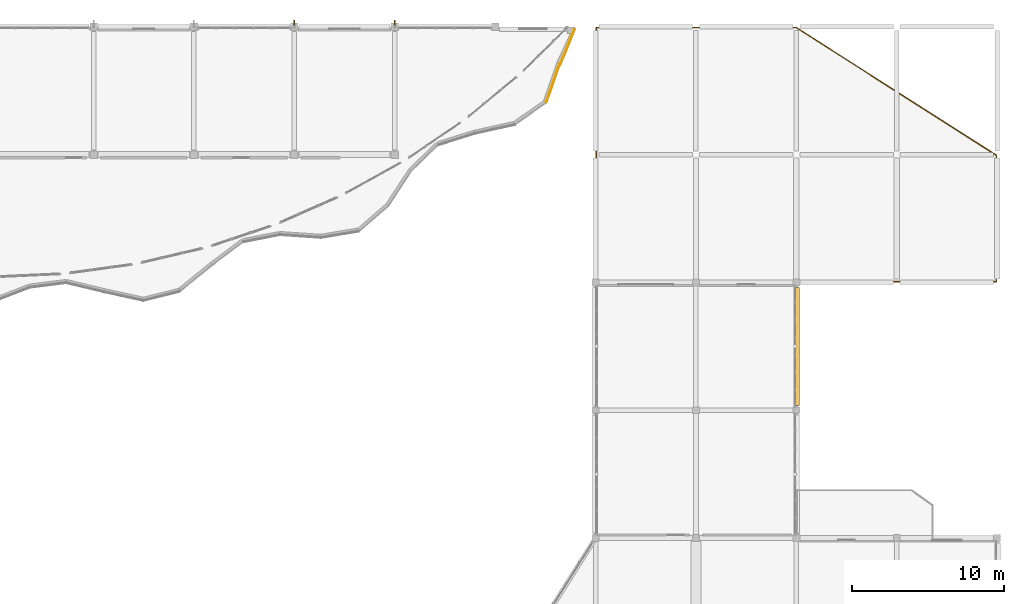
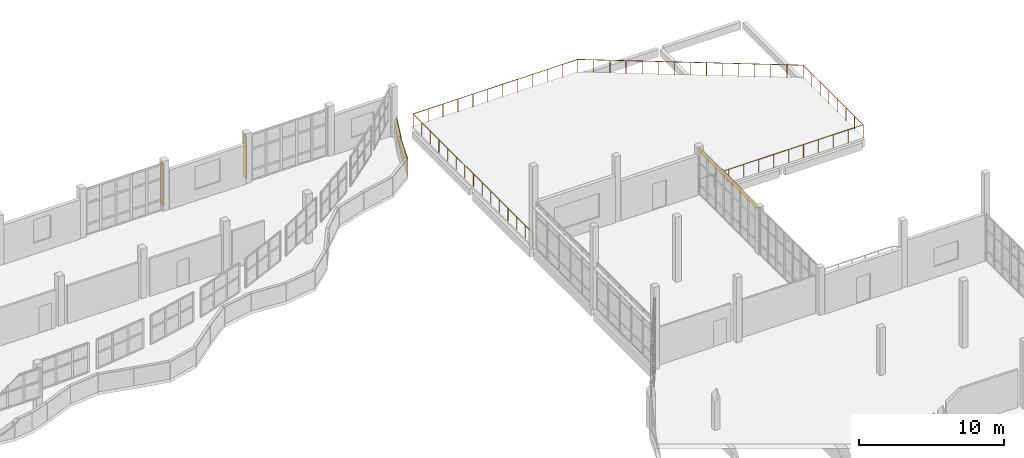
# One storey, part 78 of 78: 3 shading devices, 2 coverings, 1 railing.
"""IFC4 building model written with IfcOpenShell, lengths in metres."""

from ifc_helpers import new_model, si_unit, direction, frame, origin, origin_2d, place, context, subcontext, project, spatial, rectangle, circle, extrude, material, layer, layer_set, type_object, element, save


model = new_model("IFC4")

# Units and contexts
model_context = context("Model", 3, precision=1e-05, world=origin(), true_north=direction((0.0, 1.0)))
body_context = subcontext(model_context, "Body", "Model", "MODEL_VIEW")
ifc_project = project(units=[si_unit("LENGTHUNIT", "METRE"), si_unit("AREAUNIT", "SQUARE_METRE"), si_unit("VOLUMEUNIT", "CUBIC_METRE"), si_unit("PLANEANGLEUNIT", "RADIAN"), si_unit("MASSUNIT", "GRAM", prefix="KILO")], contexts=[model_context])

# Site, building, storey
site_placement = place(None, origin())
site = spatial("IfcSite", under=ifc_project, at=site_placement, CompositionType="ELEMENT")
building_placement = place(site_placement, origin())
building = spatial("IfcBuilding", under=site, at=building_placement, Name="Qaldarim Faculty of Natural and Applied Sciences", CompositionType="ELEMENT")
storey_placement = place(building_placement, frame((0.0, 0.0, 18.60009765625)))
storey = spatial("IfcBuildingStorey", under=building, at=storey_placement, Name="L04", CompositionType="ELEMENT", Elevation=18.60009765625)

# Railing
ifc_material_1 = material(Name="Architectural stainless steel 316", Category="steel")
railing_type = type_object("IfcRailingType", Name="ExteriorGuardBalustrade-1100", PredefinedType="BALUSTRADE", material=ifc_material_1)
railing_placement = place(storey_placement, frame((165.050048828125, 100.85009765625, 0.0)))
element("IfcRailing", 1, at=railing_placement, inside=storey, type_object=railing_type, Name="Safety guard balustrade GRD-TER-L04-V3G", PredefinedType="BALUSTRADE", context=body_context, shape_type="SweptSolid", body=[
    extrude(circle(Radius=0.02392578125, at=origin_2d()), frame((0.00390625, 0.0, 1.076171875), z_axis=(1.0, 0.0, 0.0), x_axis=(0.0, 1.0, 0.0)), (0.0, 0.0, 1.0), 13.091796875),
    extrude(circle(Radius=0.02392578125, at=origin_2d()), frame((13.099853515625, 0.00390625, 1.076171875), z_axis=(0.0, 1.0, 0.0), x_axis=(-1.0, 0.0, 0.0)), (0.0, 0.0, 1.0), 8.291748046875),
    extrude(circle(Radius=0.02392578125, at=origin_2d()), frame((13.096435546875, 8.302001953125, 1.076171875), z_axis=(-0.842730568083, 0.538335573429, 0.0), x_axis=(-0.538335573429, -0.842730568083, 0.0)), (0.0, 0.0, 1.0), 15.595947265625),
    extrude(circle(Radius=0.02392578125, at=origin_2d()), frame((-0.053955078125, 16.699951171875, 1.076171875), z_axis=(-1.0, 0.0, 0.0), x_axis=(0.0, -1.0, 0.0)), (0.0, 0.0, 1.0), 13.141845703125),
    extrude(circle(Radius=0.02392578125, at=origin_2d()), frame((-13.199951171875, 16.696044921875, 1.076171875), z_axis=(0.0, -1.0, 0.0), x_axis=(1.0, 0.0, 0.0)), (0.0, 0.0, 1.0), 16.69189453125),
    extrude(circle(Radius=0.02099609375, at=origin_2d()), origin(), (0.0, 0.0, 1.0), 1.052001953125),
    extrude(circle(Radius=0.02099609375, at=origin_2d()), frame((1.19091796875, 0.0, 0.0)), (0.0, 0.0, 1.0), 1.052001953125),
    extrude(circle(Radius=0.02099609375, at=origin_2d()), frame((2.3818359375, 0.0, 0.0)), (0.0, 0.0, 1.0), 1.052001953125),
    extrude(circle(Radius=0.02099609375, at=origin_2d()), frame((3.57275390625, 0.0, 0.0)), (0.0, 0.0, 1.0), 1.052001953125),
    extrude(circle(Radius=0.02099609375, at=origin_2d()), frame((4.763671875, 0.0, 0.0)), (0.0, 0.0, 1.0), 1.052001953125),
    extrude(circle(Radius=0.02099609375, at=origin_2d()), frame((5.95458984375, 0.0, 0.0)), (0.0, 0.0, 1.0), 1.052001953125),
    extrude(circle(Radius=0.02099609375, at=origin_2d()), frame((7.145263671875, 0.0, 0.0)), (0.0, 0.0, 1.0), 1.052001953125),
    extrude(circle(Radius=0.02099609375, at=origin_2d()), frame((8.336181640625, 0.0, 0.0)), (0.0, 0.0, 1.0), 1.052001953125),
    extrude(circle(Radius=0.02099609375, at=origin_2d()), frame((9.527099609375, 0.0, 0.0)), (0.0, 0.0, 1.0), 1.052001953125),
    extrude(circle(Radius=0.02099609375, at=origin_2d()), frame((10.718017578125, 0.0, 0.0)), (0.0, 0.0, 1.0), 1.052001953125),
    extrude(circle(Radius=0.02099609375, at=origin_2d()), frame((11.908935546875, 0.0, 0.0)), (0.0, 0.0, 1.0), 1.052001953125),
    extrude(circle(Radius=0.02099609375, at=origin_2d()), frame((13.099853515625, 0.0, 0.0)), (0.0, 0.0, 1.0), 1.052001953125),
    extrude(circle(Radius=0.02099609375, at=origin_2d()), frame((13.099853515625, 1.185791015625, 0.0)), (0.0, 0.0, 1.0), 1.052001953125),
    extrude(circle(Radius=0.02099609375, at=origin_2d()), frame((13.099853515625, 2.371337890625, 0.0)), (0.0, 0.0, 1.0), 1.052001953125),
    extrude(circle(Radius=0.02099609375, at=origin_2d()), frame((13.099853515625, 3.55712890625, 0.0)), (0.0, 0.0, 1.0), 1.052001953125),
    extrude(circle(Radius=0.02099609375, at=origin_2d()), frame((13.099853515625, 4.74267578125, 0.0)), (0.0, 0.0, 1.0), 1.052001953125),
    extrude(circle(Radius=0.02099609375, at=origin_2d()), frame((13.099853515625, 5.928466796875, 0.0)), (0.0, 0.0, 1.0), 1.052001953125),
    extrude(circle(Radius=0.02099609375, at=origin_2d()), frame((13.099853515625, 7.114013671875, 0.0)), (0.0, 0.0, 1.0), 1.052001953125),
    extrude(circle(Radius=0.02099609375, at=origin_2d()), frame((13.099853515625, 8.2998046875, 0.0)), (0.0, 0.0, 1.0), 1.052001953125),
    extrude(circle(Radius=0.02099609375, at=origin_2d()), frame((12.16064453125, 8.89990234375, 0.0)), (0.0, 0.0, 1.0), 1.052001953125),
    extrude(circle(Radius=0.02099609375, at=origin_2d()), frame((11.22119140625, 9.499755859375, 0.0)), (0.0, 0.0, 1.0), 1.052001953125),
    extrude(circle(Radius=0.02099609375, at=origin_2d()), frame((10.281982421875, 10.099853515625, 0.0)), (0.0, 0.0, 1.0), 1.052001953125),
    extrude(circle(Radius=0.02099609375, at=origin_2d()), frame((9.3427734375, 10.699951171875, 0.0)), (0.0, 0.0, 1.0), 1.052001953125),
    extrude(circle(Radius=0.02099609375, at=origin_2d()), frame((8.403564453125, 11.2998046875, 0.0)), (0.0, 0.0, 1.0), 1.052001953125),
    extrude(circle(Radius=0.02099609375, at=origin_2d()), frame((7.464111328125, 11.89990234375, 0.0)), (0.0, 0.0, 1.0), 1.052001953125),
    extrude(circle(Radius=0.02099609375, at=origin_2d()), frame((6.52490234375, 12.5, 0.0)), (0.0, 0.0, 1.0), 1.052001953125),
    extrude(circle(Radius=0.02099609375, at=origin_2d()), frame((5.585693359375, 13.099853515625, 0.0)), (0.0, 0.0, 1.0), 1.052001953125),
    extrude(circle(Radius=0.02099609375, at=origin_2d()), frame((4.646240234375, 13.699951171875, 0.0)), (0.0, 0.0, 1.0), 1.052001953125),
    extrude(circle(Radius=0.02099609375, at=origin_2d()), frame((3.70703125, 14.2998046875, 0.0)), (0.0, 0.0, 1.0), 1.052001953125),
    extrude(circle(Radius=0.02099609375, at=origin_2d()), frame((2.767822265625, 14.89990234375, 0.0)), (0.0, 0.0, 1.0), 1.052001953125),
    extrude(circle(Radius=0.02099609375, at=origin_2d()), frame((1.82861328125, 15.5, 0.0)), (0.0, 0.0, 1.0), 1.052001953125),
    extrude(circle(Radius=0.02099609375, at=origin_2d()), frame((0.88916015625, 16.099853515625, 0.0)), (0.0, 0.0, 1.0), 1.052001953125),
    extrude(circle(Radius=0.02099609375, at=origin_2d()), frame((-0.050048828125, 16.699951171875, 0.0)), (0.0, 0.0, 1.0), 1.052001953125),
    extrude(circle(Radius=0.02099609375, at=origin_2d()), frame((-1.24560546875, 16.699951171875, 0.0)), (0.0, 0.0, 1.0), 1.052001953125),
    extrude(circle(Radius=0.02099609375, at=origin_2d()), frame((-2.44091796875, 16.699951171875, 0.0)), (0.0, 0.0, 1.0), 1.052001953125),
    extrude(circle(Radius=0.02099609375, at=origin_2d()), frame((-3.636474609375, 16.699951171875, 0.0)), (0.0, 0.0, 1.0), 1.052001953125),
    extrude(circle(Radius=0.02099609375, at=origin_2d()), frame((-4.831787109375, 16.699951171875, 0.0)), (0.0, 0.0, 1.0), 1.052001953125),
    extrude(circle(Radius=0.02099609375, at=origin_2d()), frame((-6.02734375, 16.699951171875, 0.0)), (0.0, 0.0, 1.0), 1.052001953125),
    extrude(circle(Radius=0.02099609375, at=origin_2d()), frame((-7.22265625, 16.699951171875, 0.0)), (0.0, 0.0, 1.0), 1.052001953125),
    extrude(circle(Radius=0.02099609375, at=origin_2d()), frame((-8.418212890625, 16.699951171875, 0.0)), (0.0, 0.0, 1.0), 1.052001953125),
    extrude(circle(Radius=0.02099609375, at=origin_2d()), frame((-9.613525390625, 16.699951171875, 0.0)), (0.0, 0.0, 1.0), 1.052001953125),
    extrude(circle(Radius=0.02099609375, at=origin_2d()), frame((-10.80908203125, 16.699951171875, 0.0)), (0.0, 0.0, 1.0), 1.052001953125),
    extrude(circle(Radius=0.02099609375, at=origin_2d()), frame((-12.00439453125, 16.699951171875, 0.0)), (0.0, 0.0, 1.0), 1.052001953125),
    extrude(circle(Radius=0.02099609375, at=origin_2d()), frame((-13.199951171875, 16.699951171875, 0.0)), (0.0, 0.0, 1.0), 1.052001953125),
    extrude(circle(Radius=0.02099609375, at=origin_2d()), frame((-13.199951171875, 15.507080078125, 0.0)), (0.0, 0.0, 1.0), 1.052001953125),
    extrude(circle(Radius=0.02099609375, at=origin_2d()), frame((-13.199951171875, 14.314208984375, 0.0)), (0.0, 0.0, 1.0), 1.052001953125),
    extrude(circle(Radius=0.02099609375, at=origin_2d()), frame((-13.199951171875, 13.121337890625, 0.0)), (0.0, 0.0, 1.0), 1.052001953125),
    extrude(circle(Radius=0.02099609375, at=origin_2d()), frame((-13.199951171875, 11.928466796875, 0.0)), (0.0, 0.0, 1.0), 1.052001953125),
    extrude(circle(Radius=0.02099609375, at=origin_2d()), frame((-13.199951171875, 10.735595703125, 0.0)), (0.0, 0.0, 1.0), 1.052001953125),
    extrude(circle(Radius=0.02099609375, at=origin_2d()), frame((-13.199951171875, 9.542724609375, 0.0)), (0.0, 0.0, 1.0), 1.052001953125),
    extrude(circle(Radius=0.02099609375, at=origin_2d()), frame((-13.199951171875, 8.35009765625, 0.0)), (0.0, 0.0, 1.0), 1.052001953125),
    extrude(circle(Radius=0.02099609375, at=origin_2d()), frame((-13.199951171875, 7.1572265625, 0.0)), (0.0, 0.0, 1.0), 1.052001953125),
    extrude(circle(Radius=0.02099609375, at=origin_2d()), frame((-13.199951171875, 5.96435546875, 0.0)), (0.0, 0.0, 1.0), 1.052001953125),
    extrude(circle(Radius=0.02099609375, at=origin_2d()), frame((-13.199951171875, 4.771484375, 0.0)), (0.0, 0.0, 1.0), 1.052001953125),
    extrude(circle(Radius=0.02099609375, at=origin_2d()), frame((-13.199951171875, 3.57861328125, 0.0)), (0.0, 0.0, 1.0), 1.052001953125),
    extrude(circle(Radius=0.02099609375, at=origin_2d()), frame((-13.199951171875, 2.3857421875, 0.0)), (0.0, 0.0, 1.0), 1.052001953125),
    extrude(circle(Radius=0.02099609375, at=origin_2d()), frame((-13.199951171875, 1.19287109375, 0.0)), (0.0, 0.0, 1.0), 1.052001953125),
    extrude(circle(Radius=0.02099609375, at=origin_2d()), frame((-13.199951171875, 0.0, 0.0)), (0.0, 0.0, 1.0), 1.052001953125),
])

# Coverings
ifc_material_2 = material(Name="White architectural precast concrete C40/50", Category="concrete")
ifc_layer_1 = layer(ifc_material_2, 0.06005859375)
ifc_layer_set_1 = layer_set([ifc_layer_1], Name="White architectural precast concrete C40/50")
covering_type = type_object("IfcCoveringType", Name="LimestoneSpandrelCladding-60", PredefinedType="CLADDING", material=ifc_layer_set_1)
covering_1_placement = place(storey_placement, frame((149.010009765625, 113.89501953125, 0.0), z_axis=(0.0, 0.0, 1.0), x_axis=(0.330267294878, 0.943887447704, 0.0)))
element("IfcCovering", 2, at=covering_1_placement, inside=storey, type_object=covering_type, Name="White limestone wave band fascia L04 chord 61", PredefinedType="CLADDING", context=body_context, shape_type="SweptSolid", body=[
    extrude(rectangle(XDim=2.72998046875, YDim=0.06005859375, at=origin_2d()), origin(), (0.0, 0.0, 1.0), 1.449951171875),
])
covering_2_placement = place(storey_placement, frame((149.955078125, 116.260009765625, 0.0), z_axis=(0.0, 0.0, 1.0), x_axis=(0.377355950342, 0.926068294858, 0.0)))
element("IfcCovering", 3, at=covering_2_placement, inside=storey, type_object=covering_type, Name="White limestone wave band fascia L04 chord 62", PredefinedType="CLADDING", context=body_context, shape_type="SweptSolid", body=[
    extrude(rectangle(XDim=2.554931640625, YDim=0.06005859375, at=origin_2d()), origin(), (0.0, 0.0, 1.0), 1.449951171875),
])

# Shading devices
ifc_material_3 = material(Name="Champagne anodised aluminium AW-6063", Category="aluminium")
ifc_layer_2 = layer(ifc_material_3, 0.050048828125)
ifc_layer_set_2 = layer_set([ifc_layer_2], Name="Champagne anodised aluminium AW-6063")
shading_device_type_1 = type_object("IfcShadingDeviceType", Name="SolarLouvre-ALU300x50", PredefinedType="JALOUSIE", material=ifc_layer_set_2)
shading_device_placement = place(storey_placement, frame((165.070068359375, 96.60009765625, 3.56494140625), z_axis=(0.0, 0.0, 1.0), x_axis=(0.0, 1.0, 0.0)))
element("IfcShadingDevice", 4, at=shading_device_placement, inside=storey, type_object=shading_device_type_1, Name="Horizontal solar louvre L04 E X25Y12", PredefinedType="JALOUSIE", context=body_context, shape_type="SweptSolid", body=[
    extrude(rectangle(XDim=7.760009765625, YDim=0.300048828125, at=origin_2d()), origin(), (0.0, 0.0, 1.0), 0.050048828125),
])
ifc_layer_3 = layer(ifc_material_3, 0.06005859375)
ifc_layer_set_3 = layer_set([ifc_layer_3], Name="Champagne anodised aluminium AW-6063")
shading_device_type_2 = type_object("IfcShadingDeviceType", Name="VerticalSunFin-ALU450x60", PredefinedType="SHUTTER", material=ifc_layer_set_3)
for number, where, z_axis, x_axis, name in (
    (5, (132.0, 117.824951171875, 0.199951171875), (0.0, 0.0, 1.0), (1.0, 0.0, 0.0), "North pier fin FIN-V4N-L04-X21"),
    (6, (138.60009765625, 117.824951171875, 0.199951171875), (0.0, 0.0, 1.0), (1.0, 0.0, 0.0), "North pier fin FIN-V4N-L04-X22"),
):
    element("IfcShadingDevice", number, at=place(storey_placement, frame(where, z_axis=z_axis, x_axis=x_axis)), inside=storey, type_object=shading_device_type_2, Name=name, PredefinedType="SHUTTER", context=body_context, shape_type="SweptSolid", body=[
        extrude(rectangle(XDim=0.06005859375, YDim=0.449951171875, at=origin_2d()), origin(), (0.0, 0.0, 1.0), 3.5400390625),
    ])

save(model, "model.ifc")
